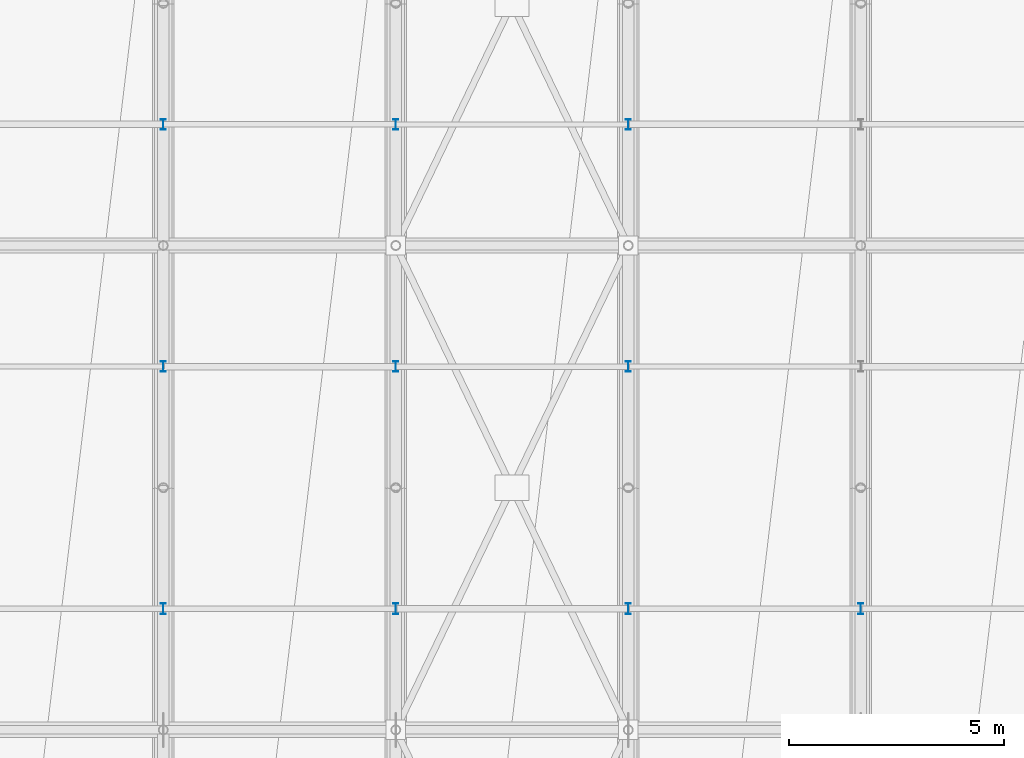
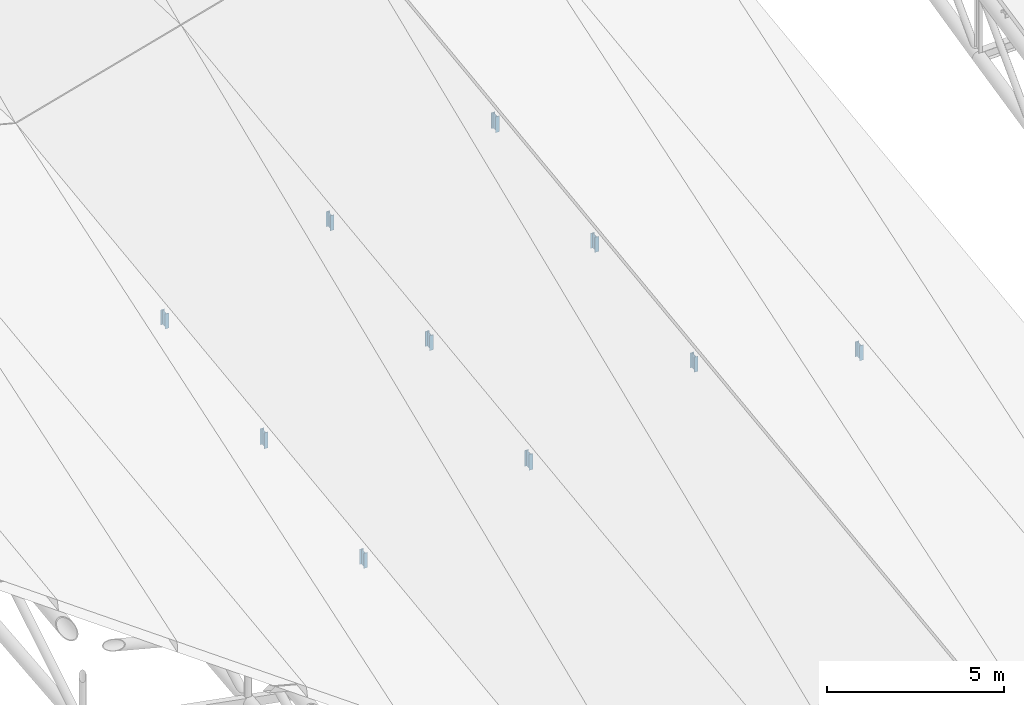
# One storey, part 85 of 109: 10 members.
"""IFC4 building model written with IfcOpenShell, lengths in metres."""

from ifc_helpers import new_model, si_unit, direction, frame, origin, origin_2d, place, context, subcontext, project, spatial, i_section, extrude, material, material_profile, profile_set, type_object, element, save


model = new_model("IFC4")

# Units and contexts
model_context = context("Model", 3, precision=1e-05, world=origin(), true_north=direction((0.0, 1.0)))
body_context = subcontext(model_context, "Body", "Model", "MODEL_VIEW")
ifc_project = project(units=[si_unit("LENGTHUNIT", "METRE"), si_unit("AREAUNIT", "SQUARE_METRE"), si_unit("VOLUMEUNIT", "CUBIC_METRE"), si_unit("PLANEANGLEUNIT", "RADIAN"), si_unit("MASSUNIT", "GRAM", prefix="KILO")], contexts=[model_context])

# Site, building, storey
site_placement = place(None, origin())
site = spatial("IfcSite", under=ifc_project, at=site_placement, CompositionType="ELEMENT")
building_placement = place(site_placement, origin())
building = spatial("IfcBuilding", under=site, at=building_placement, Name="Suirenkawa Promenade Aquatics Centre", CompositionType="ELEMENT")
storey_placement = place(building_placement, frame((0.0, 0.0, 22.800048828125)))
storey = spatial("IfcBuildingStorey", under=building, at=storey_placement, Name="ROOF", CompositionType="ELEMENT", Elevation=22.800048828125)

# Members
ifc_material = material(Name="Steel IS 2062 E350 (Grade 350)", Category="steel")
ifc_material_profile = material_profile(ifc_material, i_section(OverallWidth=0.125, OverallDepth=0.25, WebThickness=0.007080078125, FlangeThickness=0.012939453125, at=origin_2d()), Name="ISMB 250", Category="steel")
ifc_profile_set = profile_set([ifc_material_profile], Name="Steel IS 2062 E350 (Grade 350)")
member_type = type_object("IfcMemberType", Name="MT-WEB-CHS168", PredefinedType="BRACE", material=ifc_profile_set)
member_1_placement = place(storey_placement, frame((133.199951171875, 75.712890625, -11.95703125), z_axis=(0.0, 0.0, 1.0), x_axis=(1.0, 0.0, 0.0)))
element("IfcMember", 1, at=member_1_placement, inside=storey, type_object=member_type, Name="ROOF TRUSS Purlin cleat post TD-03 MB-2238", PredefinedType="BRACE", context=body_context, shape_type="SweptSolid", body=[
    extrude(i_section(OverallWidth=0.125, OverallDepth=0.25, WebThickness=0.007080078125, FlangeThickness=0.012939453125, at=origin_2d()), origin(), (0.0, 0.0, 1.0), 0.52099609375),
])
member_2_placement = place(storey_placement, frame((133.199951171875, 81.337890625, -11.23193359375), z_axis=(0.0, 0.0, 1.0), x_axis=(1.0, 0.0, 0.0)))
element("IfcMember", 2, at=member_2_placement, inside=storey, type_object=member_type, Name="ROOF TRUSS Purlin cleat post TD-03 MB-2240", PredefinedType="BRACE", context=body_context, shape_type="SweptSolid", body=[
    extrude(i_section(OverallWidth=0.125, OverallDepth=0.25, WebThickness=0.007080078125, FlangeThickness=0.012939453125, at=origin_2d()), origin(), (0.0, 0.0, 1.0), 0.5458984375),
])
member_3_placement = place(storey_placement, frame((133.199951171875, 86.962890625, -10.507080078125), z_axis=(0.0, 0.0, 1.0), x_axis=(1.0, 0.0, 0.0)))
element("IfcMember", 3, at=member_3_placement, inside=storey, type_object=member_type, Name="ROOF TRUSS Purlin cleat post TD-03 MB-2242", PredefinedType="BRACE", context=body_context, shape_type="SweptSolid", body=[
    extrude(i_section(OverallWidth=0.125, OverallDepth=0.25, WebThickness=0.007080078125, FlangeThickness=0.012939453125, at=origin_2d()), origin(), (0.0, 0.0, 1.0), 0.51904296875),
])
member_4_placement = place(storey_placement, frame((138.60009765625, 75.712890625, -10.45703125), z_axis=(0.0, 0.0, 1.0), x_axis=(1.0, 0.0, 0.0)))
element("IfcMember", 4, at=member_4_placement, inside=storey, type_object=member_type, Name="ROOF TRUSS Purlin cleat post TD-03 MB-2274", PredefinedType="BRACE", context=body_context, shape_type="SweptSolid", body=[
    extrude(i_section(OverallWidth=0.125, OverallDepth=0.25, WebThickness=0.007080078125, FlangeThickness=0.012939453125, at=origin_2d()), origin(), (0.0, 0.0, 1.0), 0.5458984375),
])
member_5_placement = place(storey_placement, frame((138.60009765625, 81.337890625, -9.73193359375), z_axis=(0.0, 0.0, 1.0), x_axis=(1.0, 0.0, 0.0)))
element("IfcMember", 5, at=member_5_placement, inside=storey, type_object=member_type, Name="ROOF TRUSS Purlin cleat post TD-03 MB-2276", PredefinedType="BRACE", context=body_context, shape_type="SweptSolid", body=[
    extrude(i_section(OverallWidth=0.125, OverallDepth=0.25, WebThickness=0.007080078125, FlangeThickness=0.012939453125, at=origin_2d()), origin(), (0.0, 0.0, 1.0), 0.518798828125),
])
member_6_placement = place(storey_placement, frame((138.60009765625, 86.962890625, -9.007080078125), z_axis=(0.0, 0.0, 1.0), x_axis=(1.0, 0.0, 0.0)))
element("IfcMember", 6, at=member_6_placement, inside=storey, type_object=member_type, Name="ROOF TRUSS Purlin cleat post TD-03 MB-2278", PredefinedType="BRACE", context=body_context, shape_type="SweptSolid", body=[
    extrude(i_section(OverallWidth=0.125, OverallDepth=0.25, WebThickness=0.007080078125, FlangeThickness=0.012939453125, at=origin_2d()), origin(), (0.0, 0.0, 1.0), 0.52001953125),
])
member_7_placement = place(storey_placement, frame((144.0, 75.712890625, -8.95703125), z_axis=(0.0, 0.0, 1.0), x_axis=(1.0, 0.0, 0.0)))
element("IfcMember", 7, at=member_7_placement, inside=storey, type_object=member_type, Name="ROOF TRUSS Purlin cleat post TD-03 MB-2310", PredefinedType="BRACE", context=body_context, shape_type="SweptSolid", body=[
    extrude(i_section(OverallWidth=0.125, OverallDepth=0.25, WebThickness=0.007080078125, FlangeThickness=0.012939453125, at=origin_2d()), origin(), (0.0, 0.0, 1.0), 0.51904296875),
])
member_8_placement = place(storey_placement, frame((144.0, 81.337890625, -8.23193359375), z_axis=(0.0, 0.0, 1.0), x_axis=(1.0, 0.0, 0.0)))
element("IfcMember", 8, at=member_8_placement, inside=storey, type_object=member_type, Name="ROOF TRUSS Purlin cleat post TD-03 MB-2312", PredefinedType="BRACE", context=body_context, shape_type="SweptSolid", body=[
    extrude(i_section(OverallWidth=0.125, OverallDepth=0.25, WebThickness=0.007080078125, FlangeThickness=0.012939453125, at=origin_2d()), origin(), (0.0, 0.0, 1.0), 0.519775390625),
])
member_9_placement = place(storey_placement, frame((144.0, 86.962890625, -7.507080078125), z_axis=(0.0, 0.0, 1.0), x_axis=(1.0, 0.0, 0.0)))
element("IfcMember", 9, at=member_9_placement, inside=storey, type_object=member_type, Name="ROOF TRUSS Purlin cleat post TD-03 MB-2314", PredefinedType="BRACE", context=body_context, shape_type="SweptSolid", body=[
    extrude(i_section(OverallWidth=0.125, OverallDepth=0.25, WebThickness=0.007080078125, FlangeThickness=0.012939453125, at=origin_2d()), origin(), (0.0, 0.0, 1.0), 0.546142578125),
])
member_10_placement = place(storey_placement, frame((149.39990234375, 75.712890625, -10.45703125), z_axis=(0.0, 0.0, 1.0), x_axis=(1.0, 0.0, 0.0)))
element("IfcMember", 10, at=member_10_placement, inside=storey, type_object=member_type, Name="ROOF TRUSS Purlin cleat post TD-03 MB-2346", PredefinedType="BRACE", context=body_context, shape_type="SweptSolid", body=[
    extrude(i_section(OverallWidth=0.125, OverallDepth=0.25, WebThickness=0.007080078125, FlangeThickness=0.012939453125, at=origin_2d()), origin(), (0.0, 0.0, 1.0), 0.52099609375),
])

save(model, "model.ifc")
